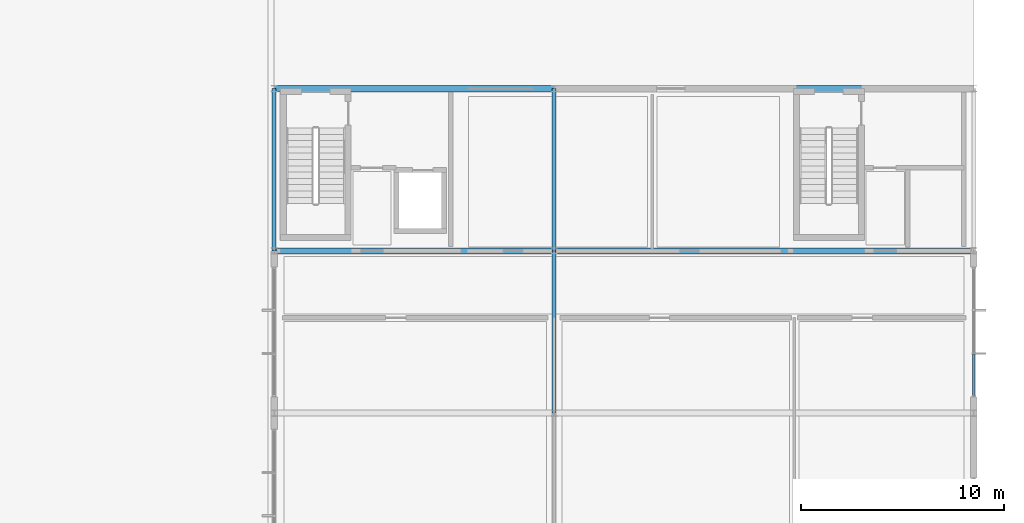
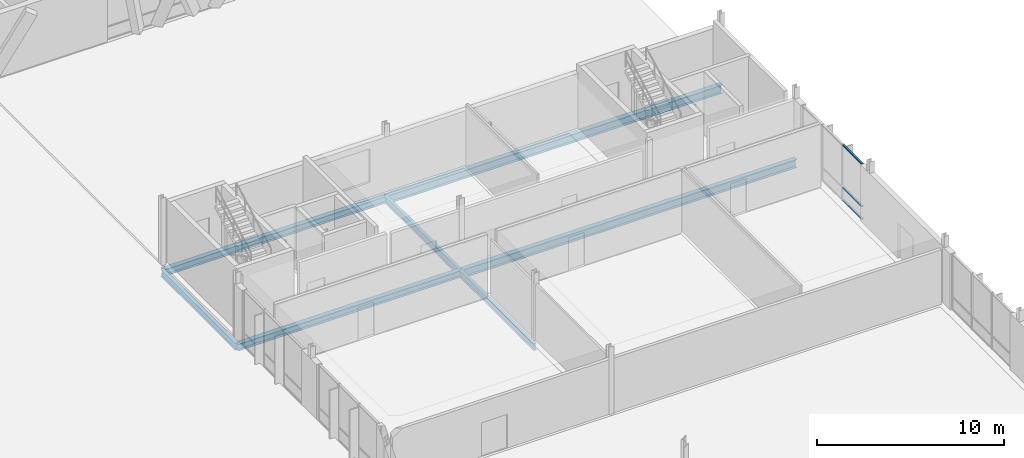
# One storey, part 161 of 233: 7 beams, 3 members, 1 element without a shape of its own.
"""IFC4 building model written with IfcOpenShell, lengths in metres."""

from ifc_helpers import new_model, si_unit, direction, frame, origin, origin_2d, place, context, subcontext, project, spatial, hollow_rectangle, i_section, extrude, material, material_profile, profile_set, type_object, element, aggregate, save


model = new_model("IFC4")

# Units and contexts
model_context = context("Model", 3, precision=1e-05, world=origin(), true_north=direction((0.0, 1.0)))
body_context = subcontext(model_context, "Body", "Model", "MODEL_VIEW")
ifc_project = project(units=[si_unit("LENGTHUNIT", "METRE"), si_unit("AREAUNIT", "SQUARE_METRE"), si_unit("VOLUMEUNIT", "CUBIC_METRE"), si_unit("PLANEANGLEUNIT", "RADIAN"), si_unit("MASSUNIT", "GRAM", prefix="KILO")], contexts=[model_context])

# Site, building, storey
site_placement = place(None, origin())
site = spatial("IfcSite", under=ifc_project, at=site_placement, CompositionType="ELEMENT")
building_placement = place(site_placement, origin())
building = spatial("IfcBuilding", under=site, at=building_placement, Name="Zavelmont Quarter", CompositionType="ELEMENT")
storey_placement = place(building_placement, origin())
storey = spatial("IfcBuildingStorey", under=building, at=storey_placement, Name="L00", CompositionType="ELEMENT", Elevation=0.0)

# Beams
ifc_material_1 = material(Name="Steel S355", Category="steel")
ifc_material_profile_1 = material_profile(ifc_material_1, i_section(OverallWidth=0.300048828125, OverallDepth=0.43994140625, WebThickness=0.011474609375, FlangeThickness=0.02099609375, at=origin_2d()), Name="HEA 450")
ifc_profile_set_1 = profile_set([ifc_material_profile_1], Name="Steel S355")
beam_type_1 = type_object("IfcBeamType", Name="BM10", PredefinedType="BEAM", material=ifc_profile_set_1)
for number, where, z_axis, x_axis, name in (
    (1, (133.5, 70.0, -0.5400390625), (1.0, 0.0, 0.0), (0.0, 1.0, 0.0), "L00 beam BM10 20/L to 22/L"),
    (2, (133.5, 78.0, -0.5400390625), (1.0, 0.0, 0.0), (0.0, 1.0, 0.0), "L00 beam BM10 20/M to 22/M"),
):
    element("IfcBeam", number, at=place(storey_placement, frame(where, z_axis=z_axis, x_axis=x_axis)), inside=storey, type_object=beam_type_1, Name=name, PredefinedType="BEAM", context=body_context, shape_type="SweptSolid", body=[
        extrude(i_section(OverallWidth=0.300048828125, OverallDepth=0.43994140625, WebThickness=0.011474609375, FlangeThickness=0.02099609375, at=origin_2d()), origin(), (0.0, 0.0, 1.0), 13.800048828125),
    ])
ifc_material_profile_2 = material_profile(ifc_material_1, i_section(OverallWidth=0.300048828125, OverallDepth=0.5400390625, WebThickness=0.012451171875, FlangeThickness=0.02392578125, at=origin_2d()), Name="HEA 550")
ifc_profile_set_2 = profile_set([ifc_material_profile_2], Name="Steel S355")
beam_type_2 = type_object("IfcBeamType", Name="BM11", PredefinedType="BEAM", material=ifc_profile_set_2)
for number, where, z_axis, x_axis, name in (
    (3, (147.300048828125, 70.0, -0.590087890625), (1.0, 0.0, 0.0), (0.0, 1.0, 0.0), "L00 beam BM11 22/L to 25/L"),
    (4, (147.300048828125, 78.0, -0.590087890625), (1.0, 0.0, 0.0), (0.0, 1.0, 0.0), "L00 beam BM11 22/M to 25/M"),
):
    element("IfcBeam", number, at=place(storey_placement, frame(where, z_axis=z_axis, x_axis=x_axis)), inside=storey, type_object=beam_type_2, Name=name, PredefinedType="BEAM", context=body_context, shape_type="SweptSolid", body=[
        extrude(i_section(OverallWidth=0.300048828125, OverallDepth=0.5400390625, WebThickness=0.012451171875, FlangeThickness=0.02392578125, at=origin_2d()), origin(), (0.0, 0.0, 1.0), 20.699951171875),
    ])
ifc_material_profile_3 = material_profile(ifc_material_1, i_section(OverallWidth=0.18994140625, OverallDepth=0.449951171875, WebThickness=0.009521484375, FlangeThickness=0.0146484375, at=origin_2d()), Name="IPE 450")
ifc_profile_set_3 = profile_set([ifc_material_profile_3], Name="Steel S355")
beam_type_3 = type_object("IfcBeamType", Name="BM12", PredefinedType="BEAM", material=ifc_profile_set_3)
for number, where, z_axis, x_axis, name in (
    (5, (133.5, 70.0, -0.544921875), (0.0, 1.0, 0.0), (-1.0, 0.0, 0.0), "L00 beam BM12 20/L to 20/M"),
    (6, (147.300048828125, 62.0, -0.544921875), (0.0, 1.0, 0.0), (-1.0, 0.0, 0.0), "L00 beam BM12 22/K to 22/L"),
    (7, (147.300048828125, 70.0, -0.544921875), (0.0, 1.0, 0.0), (-1.0, 0.0, 0.0), "L00 beam BM12 22/L to 22/M"),
):
    element("IfcBeam", number, at=place(storey_placement, frame(where, z_axis=z_axis, x_axis=x_axis)), inside=storey, type_object=beam_type_3, Name=name, PredefinedType="BEAM", context=body_context, shape_type="SweptSolid", body=[
        extrude(i_section(OverallWidth=0.18994140625, OverallDepth=0.449951171875, WebThickness=0.009521484375, FlangeThickness=0.0146484375, at=origin_2d()), origin(), (0.0, 0.0, 1.0), 8.0),
    ])

# Curtain wall, members
ifc_material_2 = material(Name="Thermally broken aluminium and double low-E safety glazing", Category="aluminium")
curtain_wall_type = type_object("IfcCurtainWallType", Name="CW-640X366", PredefinedType="NOTDEFINED", material=ifc_material_2)
curtain_wall_placement = place(storey_placement, origin())
curtain_wall = element("IfcCurtainWall", 8, at=curtain_wall_placement, inside=storey, type_object=curtain_wall_type, Name="L00 unitised curtain wall CW-640X366", PredefinedType="NOTDEFINED")
ifc_material_3 = material(Name="Powder-coated aluminium EN AW-6063-T6", Category="aluminium")
ifc_material_profile_4 = material_profile(ifc_material_3, hollow_rectangle(XDim=0.1201171875, YDim=0.06005859375, WallThickness=0.00390625, at=origin_2d()), Name="CWT60X120")
ifc_profile_set_4 = profile_set([ifc_material_profile_4], Name="Powder-coated aluminium EN AW-6063-T6")
member_type = type_object("IfcMemberType", Name="CWT01", PredefinedType="NOTDEFINED", material=ifc_profile_set_4)
member_1_placement = place(storey_placement, frame((168.0, 62.860107421875, 0.030029296875), z_axis=(0.0, 1.0, 0.0), x_axis=(-1.0, 0.0, 0.0)))
member_1 = element("IfcMember", 9, at=member_1_placement, type_object=member_type, Name="CW-640X366 transom 1.1", ObjectType="TRANSOM", PredefinedType="USERDEFINED", context=body_context, shape_type="SweptSolid", body=[
    extrude(hollow_rectangle(XDim=0.1201171875, YDim=0.06005859375, WallThickness=0.00390625, at=origin_2d()), origin(), (0.0, 0.0, 1.0), 2.043212890625),
])
member_2_placement = place(storey_placement, frame((168.0, 62.860107421875, 0.85009765625), z_axis=(0.0, 1.0, 0.0), x_axis=(-1.0, 0.0, 0.0)))
member_2 = element("IfcMember", 10, at=member_2_placement, type_object=member_type, Name="CW-640X366 transom 1.2", ObjectType="TRANSOM", PredefinedType="USERDEFINED", context=body_context, shape_type="SweptSolid", body=[
    extrude(hollow_rectangle(XDim=0.1201171875, YDim=0.06005859375, WallThickness=0.00390625, at=origin_2d()), origin(), (0.0, 0.0, 1.0), 2.043212890625),
])
member_3_placement = place(storey_placement, frame((168.0, 62.860107421875, 3.6298828125), z_axis=(0.0, 1.0, 0.0), x_axis=(-1.0, 0.0, 0.0)))
member_3 = element("IfcMember", 11, at=member_3_placement, type_object=member_type, Name="CW-640X366 transom 1.3", ObjectType="TRANSOM", PredefinedType="USERDEFINED", context=body_context, shape_type="SweptSolid", body=[
    extrude(hollow_rectangle(XDim=0.1201171875, YDim=0.06005859375, WallThickness=0.00390625, at=origin_2d()), origin(), (0.0, 0.0, 1.0), 2.043212890625),
])
aggregate(curtain_wall, [member_1, member_2, member_3])

save(model, "model.ifc")
